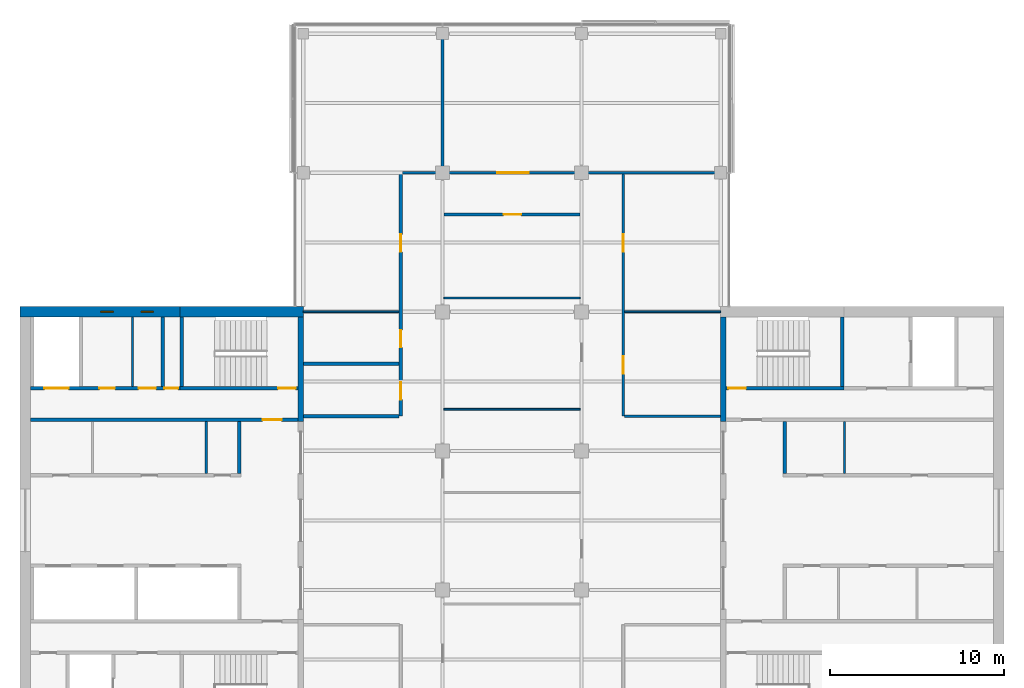
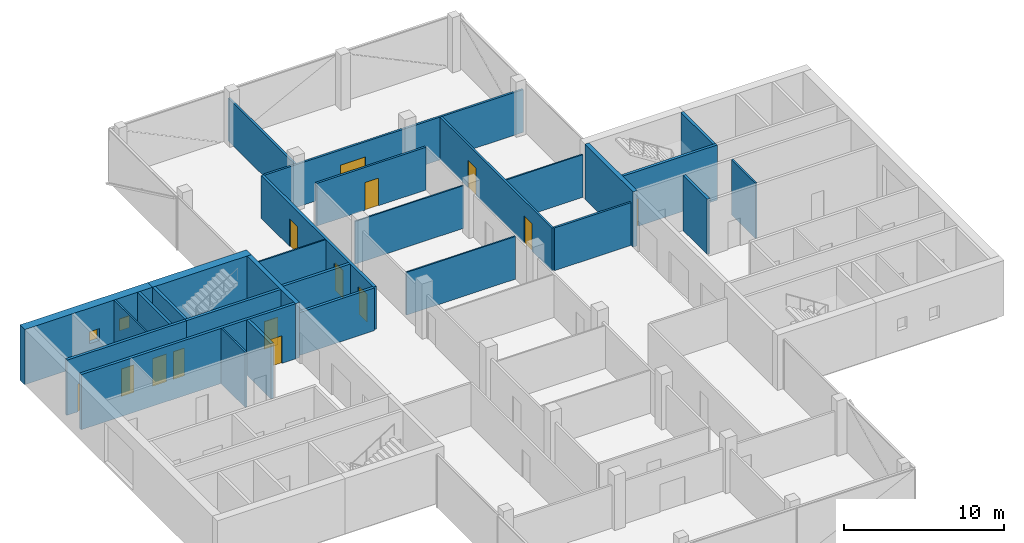
# One storey, part 11 of 15: 28 walls, 14 doors, 2 windows, 16 openings.
"""IFC4 building model written with IfcOpenShell, lengths in metres."""

from ifc_helpers import new_model, si_unit, direction, frame, frame_2d, origin, place, context, subcontext, project, spatial, rectangle, extrude, material, layer, layer_set, constituent, constituent_set, type_object, element, fill, save


model = new_model("IFC4")

# Units and contexts
model_context = context("Model", 3, precision=1e-05, world=origin(), true_north=direction((0.0, 1.0)))
body_context = subcontext(model_context, "Body", "Model", "MODEL_VIEW")
ifc_project = project(units=[si_unit("LENGTHUNIT", "METRE"), si_unit("AREAUNIT", "SQUARE_METRE"), si_unit("VOLUMEUNIT", "CUBIC_METRE"), si_unit("PLANEANGLEUNIT", "RADIAN"), si_unit("MASSUNIT", "GRAM", prefix="KILO")], contexts=[model_context])

# Site, building, storey
site_placement = place(None, origin())
site = spatial("IfcSite", under=ifc_project, at=site_placement, CompositionType="ELEMENT")
building_placement = place(site_placement, origin())
building = spatial("IfcBuilding", under=site, at=building_placement, Name="Crosswind Convention Tower", CompositionType="ELEMENT")
storey_placement = place(building_placement, frame((0.0, 0.0, 233.5)))
storey = spatial("IfcBuildingStorey", under=building, at=storey_placement, Name="L50", CompositionType="ELEMENT", Elevation=233.5)

# Wall
ifc_material_1 = material(Name="Concrete blockwork", Category="masonry")
ifc_layer_1 = layer(ifc_material_1, 0.199951171875)
ifc_layer_set_1 = layer_set([ifc_layer_1], Name="Blockwork partition wall 200")
wall_type_1 = type_object("IfcWallType", Name="Blockwork partition wall 200", PredefinedType="PARTITIONING", material=ifc_layer_set_1)
wall_1_placement = place(storey_placement, frame((104.89990234375, 111.699951171875, 0.0), z_axis=(0.0, 0.0, 1.0), x_axis=(0.0, -1.0, 0.0)))
element("IfcWall", 1, at=wall_1_placement, inside=storey, type_object=wall_type_1, Name="Wall MRSE W L50", PredefinedType="PARTITIONING", context=body_context, shape_type="SweptSolid", body=[
    extrude(rectangle(XDim=4.0, YDim=0.199951171875, at=frame_2d((2.0, 0.0))), origin(), (0.0, 0.0, 1.0), 4.199951171875),
])

# Wall, openings, doors
ifc_layer_2 = layer(ifc_material_1, 0.199951171875)
ifc_layer_set_2 = layer_set([ifc_layer_2], Name="COMPARTMENT WALL 200 BLOCKWORK")
wall_type_2 = type_object("IfcWallType", Name="COMPARTMENT WALL 200 BLOCKWORK", PredefinedType="SOLIDWALL", material=ifc_layer_set_2)
wall_2_placement = place(storey_placement, frame((118.60009765625, 106.0, 0.0), z_axis=(0.0, 0.0, 1.0), x_axis=(0.0, 1.0, 0.0)))
wall_2 = element("IfcWall", 2, at=wall_2_placement, inside=storey, type_object=wall_type_2, Name="Compartment wall WT42", PredefinedType="SOLIDWALL", context=body_context, shape_type="SweptSolid", body=[
    extrude(rectangle(XDim=14.0, YDim=0.199951171875, at=frame_2d((7.0, 0.0))), origin(), (0.0, 0.0, 1.0), 3.25537109375),
])
opening_1_placement = place(wall_2_placement, frame((0.949951171875, 0.0, 0.0)))
opening_1 = element("IfcOpeningElement", 3, at=opening_1_placement, cuts=wall_2, Name="Opening L50-53", PredefinedType="OPENING", context=body_context, shape_type="SweptSolid", body=[
    extrude(rectangle(XDim=1.0, YDim=2.10009765625, at=frame_2d((0.5, 1.050048828125))), frame((0.0, 0.10986328125, 0.0), z_axis=(0.0, -1.0, 0.0), x_axis=(1.0, 0.0, 0.0)), (0.0, 0.0, 1.0), 0.219970703125),
])
opening_2_placement = place(wall_2_placement, frame((3.949951171875, 0.0, 0.0)))
opening_2 = element("IfcOpeningElement", 4, at=opening_2_placement, cuts=wall_2, Name="Opening L50-54", PredefinedType="OPENING", context=body_context, shape_type="SweptSolid", body=[
    extrude(rectangle(XDim=1.0, YDim=2.10009765625, at=frame_2d((0.5, 1.050048828125))), frame((0.0, 0.10986328125, 0.0), z_axis=(0.0, -1.0, 0.0), x_axis=(1.0, 0.0, 0.0)), (0.0, 0.0, 1.0), 0.219970703125),
])
opening_3_placement = place(wall_2_placement, frame((9.449951171875, 0.0, 0.0)))
opening_3 = element("IfcOpeningElement", 5, at=opening_3_placement, cuts=wall_2, Name="Opening L50-55", PredefinedType="OPENING", context=body_context, shape_type="SweptSolid", body=[
    extrude(rectangle(XDim=1.0, YDim=2.10009765625, at=frame_2d((0.5, 1.050048828125))), frame((0.0, 0.10986328125, 0.0), z_axis=(0.0, -1.0, 0.0), x_axis=(1.0, 0.0, 0.0)), (0.0, 0.0, 1.0), 0.219970703125),
])
ifc_material_2 = material(Name="Steel fire door", Category="steel")
door_type_1 = type_object("IfcDoorType", Name="PLANT ROOM DOOR 1000X2100 FD60", OperationType="NOTDEFINED", PredefinedType="DOOR", material=ifc_material_2)
door_1_placement = place(opening_1_placement, origin())
door_1 = element("IfcDoor", 6, at=door_1_placement, inside=storey, type_object=door_type_1, Name="Door L50-53", ObjectType="D43", OperationType="SINGLE_SWING_LEFT", OverallHeight=2.10009765625, OverallWidth=1.0, PredefinedType="DOOR", context=body_context, shape_type="SweptSolid", body=[
    extrude(rectangle(XDim=1.0, YDim=2.10009765625, at=frame_2d((0.5, 1.050048828125))), frame((0.0, 0.02490234375, 0.0), z_axis=(0.0, -1.0, 0.0), x_axis=(1.0, 0.0, 0.0)), (0.0, 0.0, 1.0), 0.050048828125),
])
fill(opening_1, door_1)
ifc_material_3 = material(Name="Timber fire door", Category="wood")
door_type_2 = type_object("IfcDoorType", Name="TENANCY ENTRANCE DOOR 1000X2100 FD30S", OperationType="NOTDEFINED", PredefinedType="DOOR", material=ifc_material_3)
door_2_placement = place(opening_2_placement, origin())
door_2 = element("IfcDoor", 7, at=door_2_placement, inside=storey, type_object=door_type_2, Name="Door L50-54", ObjectType="D41", OperationType="SINGLE_SWING_LEFT", OverallHeight=2.10009765625, OverallWidth=1.0, PredefinedType="DOOR", context=body_context, shape_type="SweptSolid", body=[
    extrude(rectangle(XDim=1.0, YDim=2.10009765625, at=frame_2d((0.5, 1.050048828125))), frame((0.0, 0.02490234375, 0.0), z_axis=(0.0, -1.0, 0.0), x_axis=(1.0, 0.0, 0.0)), (0.0, 0.0, 1.0), 0.050048828125),
])
fill(opening_2, door_2)
door_3_placement = place(opening_3_placement, origin())
door_3 = element("IfcDoor", 8, at=door_3_placement, inside=storey, type_object=door_type_2, Name="Door L50-55", ObjectType="D41", OperationType="SINGLE_SWING_LEFT", OverallHeight=2.10009765625, OverallWidth=1.0, PredefinedType="DOOR", context=body_context, shape_type="SweptSolid", body=[
    extrude(rectangle(XDim=1.0, YDim=2.10009765625, at=frame_2d((0.5, 1.050048828125))), frame((0.0, 0.02490234375, 0.0), z_axis=(0.0, -1.0, 0.0), x_axis=(1.0, 0.0, 0.0)), (0.0, 0.0, 1.0), 0.050048828125),
])
fill(opening_3, door_3)

# Walls
for number, where, z_axis, x_axis, name in (
    (9, (113.0, 106.0, 0.0), (0.0, 0.0, 1.0), (1.0, 0.0, 0.0), "Compartment wall WT42"),
    (10, (113.0, 109.0, 0.0), (0.0, 0.0, 1.0), (1.0, 0.0, 0.0), "Compartment wall WT42"),
):
    element("IfcWall", number, at=place(storey_placement, frame(where, z_axis=z_axis, x_axis=x_axis)), inside=storey, type_object=wall_type_2, Name=name, PredefinedType="SOLIDWALL", context=body_context, shape_type="SweptSolid", body=[
        extrude(rectangle(XDim=5.5, YDim=0.199951171875, at=frame_2d((2.75, 0.0))), origin(), (0.0, 0.0, 1.0), 3.25537109375),
    ])
ifc_material_4 = material(Name="Concrete C50/60", Category="concrete")
ifc_layer_3 = layer(ifc_material_4, 0.300048828125)
ifc_layer_set_3 = layer_set([ifc_layer_3], Name="Concrete C50/60")
wall_type_3 = type_object("IfcWallType", Name="Concrete inner core wall 300", PredefinedType="SHEAR", material=ifc_layer_set_3)
for number, where, z_axis, x_axis, name in (
    (11, (137.14990234375, 105.699951171875, 0.0), (0.0, 0.0, 1.0), (0.0, 1.0, 0.0), "Wall EP E L50"),
    (12, (112.85009765625, 111.699951171875, 0.0), (0.0, 0.0, 1.0), (0.0, -1.0, 0.0), "Wall EM W L50"),
):
    element("IfcWall", number, at=place(storey_placement, frame(where, z_axis=z_axis, x_axis=x_axis)), inside=storey, type_object=wall_type_3, Name=name, PredefinedType="SHEAR", context=body_context, shape_type="SweptSolid", body=[
        extrude(rectangle(XDim=6.0, YDim=0.300048828125, at=frame_2d((3.0, 0.0))), origin(), (0.0, 0.0, 1.0), 4.199951171875),
    ])
ifc_layer_4 = layer(ifc_material_4, 0.199951171875)
ifc_layer_set_4 = layer_set([ifc_layer_4], Name="Concrete C50/60")
wall_type_4 = type_object("IfcWallType", Name="Concrete shaft and stair wall 200", PredefinedType="SHEAR", material=ifc_layer_set_4)
wall_3_placement = place(storey_placement, frame((140.699951171875, 102.699951171875, 0.0), z_axis=(0.0, 0.0, 1.0), x_axis=(0.0, 1.0, 0.0)))
element("IfcWall", 13, at=wall_3_placement, inside=storey, type_object=wall_type_4, Name="Wall RPEND E L50", PredefinedType="SHEAR", context=body_context, shape_type="SweptSolid", body=[
    extrude(rectangle(XDim=3.0, YDim=0.199951171875, at=frame_2d((1.5, 0.0))), origin(), (0.0, 0.0, 1.0), 4.199951171875),
])
wall_4_placement = place(storey_placement, frame((144.0, 107.699951171875, 0.0), z_axis=(0.0, 0.0, 1.0), x_axis=(0.0, 1.0, 0.0)))
element("IfcWall", 14, at=wall_4_placement, inside=storey, type_object=wall_type_4, Name="Wall PSE E L50", PredefinedType="SHEAR", context=body_context, shape_type="SweptSolid", body=[
    extrude(rectangle(XDim=4.0, YDim=0.199951171875, at=frame_2d((2.0, 0.0))), origin(), (0.0, 0.0, 1.0), 4.199951171875),
])

# Wall, opening, door
wall_5_placement = place(storey_placement, frame((137.300048828125, 107.60009765625, 0.0), z_axis=(0.0, 0.0, 1.0), x_axis=(1.0, 0.0, 0.0)))
wall_5 = element("IfcWall", 15, at=wall_5_placement, inside=storey, type_object=wall_type_4, Name="Wall PCW E L50", PredefinedType="SHEAR", context=body_context, shape_type="SweptSolid", body=[
    extrude(rectangle(XDim=6.800048828125, YDim=0.199951171875, at=frame_2d((3.39990234375, 0.0))), origin(), (0.0, 0.0, 1.0), 4.199951171875),
])
opening_4_placement = place(wall_5_placement, frame((0.14990234375, 0.0, 0.0)))
opening_4 = element("IfcOpeningElement", 16, at=opening_4_placement, cuts=wall_5, Name="Opening D103", PredefinedType="OPENING", context=body_context, shape_type="SweptSolid", body=[
    extrude(rectangle(XDim=1.0, YDim=2.10009765625, at=frame_2d((0.5, 1.050048828125))), frame((0.0, 0.10986328125, 0.0), z_axis=(0.0, -1.0, 0.0), x_axis=(1.0, 0.0, 0.0)), (0.0, 0.0, 1.0), 0.219970703125),
])
door_type_3 = type_object("IfcDoorType", Name="Fire-rated single door 1000x2100", OperationType="NOTDEFINED", PredefinedType="DOOR", material=ifc_material_2)
door_4_placement = place(opening_4_placement, origin())
door_4 = element("IfcDoor", 17, at=door_4_placement, inside=storey, type_object=door_type_3, Name="Stair ST1 door L50", ObjectType="D103", OperationType="SINGLE_SWING_LEFT", OverallHeight=2.10009765625, OverallWidth=1.0, PredefinedType="DOOR", context=body_context, shape_type="SweptSolid", body=[
    extrude(rectangle(XDim=1.0, YDim=2.10009765625, at=frame_2d((0.5, 1.050048828125))), frame((0.0, 0.02490234375, 0.0), z_axis=(0.0, -1.0, 0.0), x_axis=(1.0, 0.0, 0.0)), (0.0, 0.0, 1.0), 0.050048828125),
])
fill(opening_4, door_4)

# Wall
wall_6_placement = place(storey_placement, frame((109.300048828125, 105.699951171875, 0.0), z_axis=(0.0, 0.0, 1.0), x_axis=(0.0, -1.0, 0.0)))
element("IfcWall", 18, at=wall_6_placement, inside=storey, type_object=wall_type_4, Name="Wall RMEND W L50", PredefinedType="SHEAR", context=body_context, shape_type="SweptSolid", body=[
    extrude(rectangle(XDim=3.0, YDim=0.199951171875, at=frame_2d((1.5, 0.0))), origin(), (0.0, 0.0, 1.0), 4.199951171875),
])

# Wall, opening, door
wall_7_placement = place(storey_placement, frame((112.699951171875, 105.800048828125, 0.0), z_axis=(0.0, 0.0, 1.0), x_axis=(-1.0, 0.0, 0.0)))
wall_7 = element("IfcWall", 19, at=wall_7_placement, inside=storey, type_object=wall_type_4, Name="Wall HM W L50", PredefinedType="SHEAR", context=body_context, shape_type="SweptSolid", body=[
    extrude(rectangle(XDim=15.39990234375, YDim=0.199951171875, at=frame_2d((7.699951171875, 0.0))), origin(), (0.0, 0.0, 1.0), 4.199951171875),
])
opening_5_placement = place(wall_7_placement, frame((0.949951171875, 0.0, 0.0)))
opening_5 = element("IfcOpeningElement", 20, at=opening_5_placement, cuts=wall_7, Name="Opening D104", PredefinedType="OPENING", context=body_context, shape_type="SweptSolid", body=[
    extrude(rectangle(XDim=1.10009765625, YDim=2.10009765625, at=frame_2d((0.550048828125, 1.050048828125))), frame((0.0, 0.10986328125, 0.0), z_axis=(0.0, -1.0, 0.0), x_axis=(1.0, 0.0, 0.0)), (0.0, 0.0, 1.0), 0.219970703125),
])
door_type_4 = type_object("IfcDoorType", Name="Fire-rated single door 1100x2100", OperationType="NOTDEFINED", PredefinedType="DOOR", material=ifc_material_2)
door_5_placement = place(opening_5_placement, origin())
door_5 = element("IfcDoor", 21, at=door_5_placement, inside=storey, type_object=door_type_4, Name="Corridor door L50", ObjectType="D104", OperationType="SINGLE_SWING_LEFT", OverallHeight=2.10009765625, OverallWidth=1.10009765625, PredefinedType="DOOR", context=body_context, shape_type="SweptSolid", body=[
    extrude(rectangle(XDim=1.10009765625, YDim=2.10009765625, at=frame_2d((0.550048828125, 1.050048828125))), frame((0.0, 0.02490234375, 0.0), z_axis=(0.0, -1.0, 0.0), x_axis=(1.0, 0.0, 0.0)), (0.0, 0.0, 1.0), 0.050048828125),
])
fill(opening_5, door_5)

# Wall
wall_8_placement = place(storey_placement, frame((106.0, 111.699951171875, 0.0), z_axis=(0.0, 0.0, 1.0), x_axis=(0.0, -1.0, 0.0)))
element("IfcWall", 22, at=wall_8_placement, inside=storey, type_object=wall_type_4, Name="Wall MSE W L50", PredefinedType="SHEAR", context=body_context, shape_type="SweptSolid", body=[
    extrude(rectangle(XDim=4.0, YDim=0.199951171875, at=frame_2d((2.0, 0.0))), origin(), (0.0, 0.0, 1.0), 4.199951171875),
])

# Wall, opening, door
wall_9_placement = place(storey_placement, frame((112.699951171875, 107.60009765625, 0.0), z_axis=(0.0, 0.0, 1.0), x_axis=(-1.0, 0.0, 0.0)))
wall_9 = element("IfcWall", 23, at=wall_9_placement, inside=storey, type_object=wall_type_4, Name="Wall MCW W L50", PredefinedType="SHEAR", context=body_context, shape_type="SweptSolid", body=[
    extrude(rectangle(XDim=6.800048828125, YDim=0.199951171875, at=frame_2d((3.39990234375, 0.0))), origin(), (0.0, 0.0, 1.0), 4.199951171875),
])
opening_6_placement = place(wall_9_placement, frame((0.14990234375, 0.0, 0.0)))
opening_6 = element("IfcOpeningElement", 24, at=opening_6_placement, cuts=wall_9, Name="Opening D103", PredefinedType="OPENING", context=body_context, shape_type="SweptSolid", body=[
    extrude(rectangle(XDim=1.0, YDim=2.10009765625, at=frame_2d((0.5, 1.050048828125))), frame((0.0, 0.10986328125, 0.0), z_axis=(0.0, -1.0, 0.0), x_axis=(1.0, 0.0, 0.0)), (0.0, 0.0, 1.0), 0.219970703125),
])
door_6_placement = place(opening_6_placement, frame((1.0, 0.0, 0.0), z_axis=(0.0, 0.0, 1.0), x_axis=(-1.0, 0.0, 0.0)))
door_6 = element("IfcDoor", 25, at=door_6_placement, inside=storey, type_object=door_type_3, Name="Stair ST4 door L50", ObjectType="D103", OperationType="SINGLE_SWING_RIGHT", OverallHeight=2.10009765625, OverallWidth=1.0, PredefinedType="DOOR", context=body_context, shape_type="SweptSolid", body=[
    extrude(rectangle(XDim=1.0, YDim=2.10009765625, at=frame_2d((0.5, 1.050048828125))), frame((0.0, 0.02490234375, 0.0), z_axis=(0.0, -1.0, 0.0), x_axis=(1.0, 0.0, 0.0)), (0.0, 0.0, 1.0), 0.050048828125),
])
fill(opening_6, door_6)

# Wall, openings, doors
wall_10_placement = place(storey_placement, frame((105.89990234375, 107.60009765625, 0.0), z_axis=(0.0, 0.0, 1.0), x_axis=(-1.0, 0.0, 0.0)))
wall_10 = element("IfcWall", 26, at=wall_10_placement, inside=storey, type_object=wall_type_4, Name="Wall MCX W L50", PredefinedType="SHEAR", context=body_context, shape_type="SweptSolid", body=[
    extrude(rectangle(XDim=8.599853515625, YDim=0.199951171875, at=frame_2d((4.2998046875, 0.0))), origin(), (0.0, 0.0, 1.0), 4.199951171875),
])
opening_7_placement = place(wall_10_placement, frame((0.10009765625, 0.0, 0.0)))
opening_7 = element("IfcOpeningElement", 27, at=opening_7_placement, cuts=wall_10, Name="Opening D105", PredefinedType="OPENING", context=body_context, shape_type="SweptSolid", body=[
    extrude(rectangle(XDim=0.800048828125, YDim=2.10009765625, at=frame_2d((0.39990234375, 1.050048828125))), frame((0.0, 0.10986328125, 0.0), z_axis=(0.0, -1.0, 0.0), x_axis=(1.0, 0.0, 0.0)), (0.0, 0.0, 1.0), 0.219970703125),
])
opening_8_placement = place(wall_10_placement, frame((1.378662109375, 0.0, 0.0)))
opening_8 = element("IfcOpeningElement", 28, at=opening_8_placement, cuts=wall_10, Name="Opening D103", PredefinedType="OPENING", context=body_context, shape_type="SweptSolid", body=[
    extrude(rectangle(XDim=1.0, YDim=2.10009765625, at=frame_2d((0.5, 1.050048828125))), frame((0.0, 0.10986328125, 0.0), z_axis=(0.0, -1.0, 0.0), x_axis=(1.0, 0.0, 0.0)), (0.0, 0.0, 1.0), 0.219970703125),
])
opening_9_placement = place(wall_10_placement, frame((3.7412109375, 0.0, 0.0)))
opening_9 = element("IfcOpeningElement", 29, at=opening_9_placement, cuts=wall_10, Name="Opening D106", PredefinedType="OPENING", context=body_context, shape_type="SweptSolid", body=[
    extrude(rectangle(XDim=0.89990234375, YDim=2.10009765625, at=frame_2d((0.449951171875, 1.050048828125))), frame((0.0, 0.10986328125, 0.0), z_axis=(0.0, -1.0, 0.0), x_axis=(1.0, 0.0, 0.0)), (0.0, 0.0, 1.0), 0.219970703125),
])
opening_10_placement = place(wall_10_placement, frame((6.39990234375, 0.0, 0.0)))
opening_10 = element("IfcOpeningElement", 30, at=opening_10_placement, cuts=wall_10, Name="Opening LD2", PredefinedType="OPENING", context=body_context, shape_type="SweptSolid", body=[
    extrude(rectangle(XDim=1.39990234375, YDim=2.10009765625, at=frame_2d((0.699951171875, 1.050048828125))), frame((0.0, 0.10986328125, 0.0), z_axis=(0.0, -1.0, 0.0), x_axis=(1.0, 0.0, 0.0)), (0.0, 0.0, 1.0), 0.219970703125),
])
door_7_placement = place(opening_8_placement, frame((1.0, 0.0, 0.0), z_axis=(0.0, 0.0, 1.0), x_axis=(-1.0, 0.0, 0.0)))
door_7 = element("IfcDoor", 31, at=door_7_placement, inside=storey, type_object=door_type_3, Name="Door to accessible wc L50", ObjectType="D103", OperationType="SINGLE_SWING_LEFT", OverallHeight=2.10009765625, OverallWidth=1.0, PredefinedType="DOOR", context=body_context, shape_type="SweptSolid", body=[
    extrude(rectangle(XDim=1.0, YDim=2.10009765625, at=frame_2d((0.5, 1.050048828125))), frame((0.0, 0.02490234375, 0.0), z_axis=(0.0, -1.0, 0.0), x_axis=(1.0, 0.0, 0.0)), (0.0, 0.0, 1.0), 0.050048828125),
])
fill(opening_8, door_7)
ifc_material_5 = material(Name="Stainless steel", Category="steel")
door_type_5 = type_object("IfcDoorType", Name="Lift landing door 1400x2100", OperationType="DOUBLE_DOOR_SLIDING", PredefinedType="DOOR", material=ifc_material_5)
door_8_placement = place(opening_10_placement, origin())
door_8 = element("IfcDoor", 32, at=door_8_placement, inside=storey, type_object=door_type_5, Name="Landing door SV2 L50", ObjectType="LD2", OperationType="DOUBLE_DOOR_SLIDING", OverallHeight=2.10009765625, OverallWidth=1.39990234375, PredefinedType="DOOR", context=body_context, shape_type="SweptSolid", body=[
    extrude(rectangle(XDim=1.39990234375, YDim=2.10009765625, at=frame_2d((0.699951171875, 1.050048828125))), frame((0.0, 0.02490234375, 0.0), z_axis=(0.0, -1.0, 0.0), x_axis=(1.0, 0.0, 0.0)), (0.0, 0.0, 1.0), 0.050048828125),
])
fill(opening_10, door_8)
door_type_6 = type_object("IfcDoorType", Name="Riser access door 800x2100", OperationType="NOTDEFINED", PredefinedType="DOOR", material=ifc_material_2)
door_9_placement = place(opening_7_placement, frame((0.800048828125, 0.0, 0.0), z_axis=(0.0, 0.0, 1.0), x_axis=(-1.0, 0.0, 0.0)))
door_9 = element("IfcDoor", 33, at=door_9_placement, inside=storey, type_object=door_type_6, Name="Riser door L50", ObjectType="D105", OperationType="SINGLE_SWING_LEFT", OverallHeight=2.10009765625, OverallWidth=0.800048828125, PredefinedType="DOOR", context=body_context, shape_type="SweptSolid", body=[
    extrude(rectangle(XDim=0.800048828125, YDim=2.10009765625, at=frame_2d((0.39990234375, 1.050048828125))), frame((0.0, 0.02490234375, 0.0), z_axis=(0.0, -1.0, 0.0), x_axis=(1.0, 0.0, 0.0)), (0.0, 0.0, 1.0), 0.050048828125),
])
fill(opening_7, door_9)
ifc_material_6 = material(Name="Timber door", Category="wood")
door_type_7 = type_object("IfcDoorType", Name="Single leaf door 900x2100", OperationType="NOTDEFINED", PredefinedType="DOOR", material=ifc_material_6)
door_10_placement = place(opening_9_placement, frame((0.89990234375, 0.0, 0.0), z_axis=(0.0, 0.0, 1.0), x_axis=(-1.0, 0.0, 0.0)))
door_10 = element("IfcDoor", 34, at=door_10_placement, inside=storey, type_object=door_type_7, Name="Door to wc L50", ObjectType="D106", OperationType="SINGLE_SWING_LEFT", OverallHeight=2.10009765625, OverallWidth=0.89990234375, PredefinedType="DOOR", context=body_context, shape_type="SweptSolid", body=[
    extrude(rectangle(XDim=0.89990234375, YDim=2.10009765625, at=frame_2d((0.449951171875, 1.050048828125))), frame((0.0, 0.02490234375, 0.0), z_axis=(0.0, -1.0, 0.0), x_axis=(1.0, 0.0, 0.0)), (0.0, 0.0, 1.0), 0.050048828125),
])
fill(opening_9, door_10)

# Walls
ifc_material_7 = material(Name="Gypsum plasterboard partition", Category="gypsum")
ifc_layer_5 = layer(ifc_material_7, 0.125)
ifc_layer_set_5 = layer_set([ifc_layer_5], Name="Drywall partition wall 125")
wall_type_5 = type_object("IfcWallType", Name="Drywall partition wall 125", PredefinedType="PARTITIONING", material=ifc_layer_set_5)
for number, where, z_axis, x_axis, name in (
    (35, (144.132080078125, 102.699951171875, 0.0), (0.0, 0.0, 1.0), (0.0, 1.0, 0.0), "Wall RPP1 E L50"),
    (36, (107.4150390625, 105.699951171875, 0.0), (0.0, 0.0, 1.0), (0.0, -1.0, 0.0), "Wall RMP1 W L50"),
):
    element("IfcWall", number, at=place(storey_placement, frame(where, z_axis=z_axis, x_axis=x_axis)), inside=storey, type_object=wall_type_5, Name=name, PredefinedType="PARTITIONING", context=body_context, shape_type="SweptSolid", body=[
        extrude(rectangle(XDim=3.0, YDim=0.125, at=frame_2d((1.5, 0.0))), origin(), (0.0, 0.0, 1.0), 4.199951171875),
    ])
wall_11_placement = place(storey_placement, frame((103.179931640625, 111.699951171875, 0.0), z_axis=(0.0, 0.0, 1.0), x_axis=(0.0, -1.0, 0.0)))
element("IfcWall", 37, at=wall_11_placement, inside=storey, type_object=wall_type_5, Name="Wall MWP1 W L50", PredefinedType="PARTITIONING", context=body_context, shape_type="SweptSolid", body=[
    extrude(rectangle(XDim=4.0, YDim=0.125, at=frame_2d((2.0, 0.0))), origin(), (0.0, 0.0, 1.0), 4.199951171875),
])
ifc_material_8 = material(Name="Plasterboard partition", Category="gypsum")
ifc_layer_6 = layer(ifc_material_8, 0.10009765625)
ifc_layer_set_6 = layer_set([ifc_layer_6], Name="PARTITION 100 METAL STUD")
wall_type_6 = type_object("IfcWallType", Name="PARTITION 100 METAL STUD", PredefinedType="PARTITIONING", material=ifc_layer_set_6)
wall_12_placement = place(storey_placement, frame((121.074951171875, 106.39990234375, 0.0), z_axis=(0.0, 0.0, 1.0), x_axis=(1.0, 0.0, 0.0)))
element("IfcWall", 38, at=wall_12_placement, inside=storey, type_object=wall_type_6, Name="Partition wall WT40", PredefinedType="PARTITIONING", context=body_context, shape_type="SweptSolid", body=[
    extrude(rectangle(XDim=7.85009765625, YDim=0.10009765625, at=frame_2d((3.925048828125, 0.0))), origin(), (0.0, 0.0, 1.0), 3.25537109375),
])
wall_13_placement = place(storey_placement, frame((113.0, 112.0, 0.0), z_axis=(0.0, 0.0, 1.0), x_axis=(1.0, 0.0, 0.0)))
element("IfcWall", 39, at=wall_13_placement, inside=storey, type_object=wall_type_6, Name="Partition wall WT40", PredefinedType="PARTITIONING", context=body_context, shape_type="SweptSolid", body=[
    extrude(rectangle(XDim=5.5, YDim=0.10009765625, at=frame_2d((2.75, 0.0))), origin(), (0.0, 0.0, 1.0), 3.25537109375),
])
wall_14_placement = place(storey_placement, frame((131.47509765625, 112.0, 0.0), z_axis=(0.0, 0.0, 1.0), x_axis=(1.0, 0.0, 0.0)))
element("IfcWall", 40, at=wall_14_placement, inside=storey, type_object=wall_type_6, Name="Partition wall WT40", PredefinedType="PARTITIONING", context=body_context, shape_type="SweptSolid", body=[
    extrude(rectangle(XDim=5.52490234375, YDim=0.10009765625, at=frame_2d((2.762451171875, 0.0))), origin(), (0.0, 0.0, 1.0), 3.25537109375),
])
wall_15_placement = place(storey_placement, frame((121.074951171875, 112.800048828125, 0.0), z_axis=(0.0, 0.0, 1.0), x_axis=(1.0, 0.0, 0.0)))
element("IfcWall", 41, at=wall_15_placement, inside=storey, type_object=wall_type_6, Name="Partition wall WT40", PredefinedType="PARTITIONING", context=body_context, shape_type="SweptSolid", body=[
    extrude(rectangle(XDim=7.85009765625, YDim=0.10009765625, at=frame_2d((3.925048828125, 0.0))), origin(), (0.0, 0.0, 1.0), 3.25537109375),
])
ifc_material_9 = material(Name="Fire-board partition with mineral wool", Category="gypsum")
ifc_layer_7 = layer(ifc_material_9, 0.14990234375)
ifc_layer_set_7 = layer_set([ifc_layer_7], Name="TENANCY WALL 150 TWO-HOUR BOARD")
wall_type_7 = type_object("IfcWallType", Name="TENANCY WALL 150 TWO-HOUR BOARD", PredefinedType="PARTITIONING", material=ifc_layer_set_7)
wall_16_placement = place(storey_placement, frame((121.0, 120.074951171875, 0.0), z_axis=(0.0, 0.0, 1.0), x_axis=(0.0, 1.0, 0.0)))
element("IfcWall", 42, at=wall_16_placement, inside=storey, type_object=wall_type_7, Name="Tenancy wall WT41", PredefinedType="PARTITIONING", context=body_context, shape_type="SweptSolid", body=[
    extrude(rectangle(XDim=8.2451171875, YDim=0.14990234375, at=frame_2d((4.12255859375, 0.0))), origin(), (0.0, 0.0, 1.0), 3.25537109375),
])

# Wall, openings, doors
wall_17_placement = place(storey_placement, frame((131.39990234375, 106.0, 0.0), z_axis=(0.0, 0.0, 1.0), x_axis=(0.0, 1.0, 0.0)))
wall_17 = element("IfcWall", 43, at=wall_17_placement, inside=storey, type_object=wall_type_7, Name="Tenancy wall WT41", PredefinedType="PARTITIONING", context=body_context, shape_type="SweptSolid", body=[
    extrude(rectangle(XDim=13.925048828125, YDim=0.14990234375, at=frame_2d((6.96240234375, 0.0))), origin(), (0.0, 0.0, 1.0), 3.25537109375),
])
opening_11_placement = place(wall_17_placement, frame((2.449951171875, 0.0, 0.0)))
opening_11 = element("IfcOpeningElement", 44, at=opening_11_placement, cuts=wall_17, Name="Opening L50-50", PredefinedType="OPENING", context=body_context, shape_type="SweptSolid", body=[
    extrude(rectangle(XDim=1.0, YDim=2.10009765625, at=frame_2d((0.5, 1.050048828125))), frame((0.0, 0.0849609375, 0.0), z_axis=(0.0, -1.0, 0.0), x_axis=(1.0, 0.0, 0.0)), (0.0, 0.0, 1.0), 0.169921875),
])
opening_12_placement = place(wall_17_placement, frame((9.449951171875, 0.0, 0.0)))
opening_12 = element("IfcOpeningElement", 45, at=opening_12_placement, cuts=wall_17, Name="Opening L50-51", PredefinedType="OPENING", context=body_context, shape_type="SweptSolid", body=[
    extrude(rectangle(XDim=1.0, YDim=2.10009765625, at=frame_2d((0.5, 1.050048828125))), frame((0.0, 0.0849609375, 0.0), z_axis=(0.0, -1.0, 0.0), x_axis=(1.0, 0.0, 0.0)), (0.0, 0.0, 1.0), 0.169921875),
])
door_11_placement = place(opening_11_placement, frame((1.0, 0.0, 0.0), z_axis=(0.0, 0.0, 1.0), x_axis=(-1.0, 0.0, 0.0)))
door_11 = element("IfcDoor", 46, at=door_11_placement, inside=storey, type_object=door_type_2, Name="Door L50-50", ObjectType="D41", OperationType="SINGLE_SWING_RIGHT", OverallHeight=2.10009765625, OverallWidth=1.0, PredefinedType="DOOR", context=body_context, shape_type="SweptSolid", body=[
    extrude(rectangle(XDim=1.0, YDim=2.10009765625, at=frame_2d((0.5, 1.050048828125))), frame((0.0, 0.02490234375, 0.0), z_axis=(0.0, -1.0, 0.0), x_axis=(1.0, 0.0, 0.0)), (0.0, 0.0, 1.0), 0.050048828125),
])
fill(opening_11, door_11)
door_12_placement = place(opening_12_placement, frame((1.0, 0.0, 0.0), z_axis=(0.0, 0.0, 1.0), x_axis=(-1.0, 0.0, 0.0)))
door_12 = element("IfcDoor", 47, at=door_12_placement, inside=storey, type_object=door_type_2, Name="Door L50-51", ObjectType="D41", OperationType="SINGLE_SWING_RIGHT", OverallHeight=2.10009765625, OverallWidth=1.0, PredefinedType="DOOR", context=body_context, shape_type="SweptSolid", body=[
    extrude(rectangle(XDim=1.0, YDim=2.10009765625, at=frame_2d((0.5, 1.050048828125))), frame((0.0, 0.02490234375, 0.0), z_axis=(0.0, -1.0, 0.0), x_axis=(1.0, 0.0, 0.0)), (0.0, 0.0, 1.0), 0.050048828125),
])
fill(opening_12, door_12)

# Wall
wall_18_placement = place(storey_placement, frame((131.47509765625, 106.0, 0.0), z_axis=(0.0, 0.0, 1.0), x_axis=(1.0, 0.0, 0.0)))
element("IfcWall", 48, at=wall_18_placement, inside=storey, type_object=wall_type_7, Name="Tenancy wall WT41", PredefinedType="PARTITIONING", context=body_context, shape_type="SweptSolid", body=[
    extrude(rectangle(XDim=5.52490234375, YDim=0.14990234375, at=frame_2d((2.762451171875, 0.0))), origin(), (0.0, 0.0, 1.0), 3.25537109375),
])

# Wall, opening, door
wall_19_placement = place(storey_placement, frame((121.074951171875, 117.60009765625, 0.0), z_axis=(0.0, 0.0, 1.0), x_axis=(1.0, 0.0, 0.0)))
wall_19 = element("IfcWall", 49, at=wall_19_placement, inside=storey, type_object=wall_type_7, Name="Tenancy wall WT41", PredefinedType="PARTITIONING", context=body_context, shape_type="SweptSolid", body=[
    extrude(rectangle(XDim=7.85009765625, YDim=0.14990234375, at=frame_2d((3.925048828125, 0.0))), origin(), (0.0, 0.0, 1.0), 3.25537109375),
])
opening_13_placement = place(wall_19_placement, frame((3.449951171875, 0.0, 0.0)))
opening_13 = element("IfcOpeningElement", 50, at=opening_13_placement, cuts=wall_19, Name="Opening L50-65", PredefinedType="OPENING", context=body_context, shape_type="SweptSolid", body=[
    extrude(rectangle(XDim=1.0, YDim=2.10009765625, at=frame_2d((0.5, 1.050048828125))), frame((0.0, 0.0849609375, 0.0), z_axis=(0.0, -1.0, 0.0), x_axis=(1.0, 0.0, 0.0)), (0.0, 0.0, 1.0), 0.169921875),
])
door_13_placement = place(opening_13_placement, frame((1.0, 0.0, 0.0), z_axis=(0.0, 0.0, 1.0), x_axis=(-1.0, 0.0, 0.0)))
door_13 = element("IfcDoor", 51, at=door_13_placement, inside=storey, type_object=door_type_2, Name="Door L50-65", ObjectType="D41", OperationType="SINGLE_SWING_LEFT", OverallHeight=2.10009765625, OverallWidth=1.0, PredefinedType="DOOR", context=body_context, shape_type="SweptSolid", body=[
    extrude(rectangle(XDim=1.0, YDim=2.10009765625, at=frame_2d((0.5, 1.050048828125))), frame((0.0, 0.02490234375, 0.0), z_axis=(0.0, -1.0, 0.0), x_axis=(1.0, 0.0, 0.0)), (0.0, 0.0, 1.0), 0.050048828125),
])
fill(opening_13, door_13)

wall_20_placement = place(storey_placement, frame((118.699951171875, 120.0, 0.0), z_axis=(0.0, 0.0, 1.0), x_axis=(1.0, 0.0, 0.0)))
wall_20 = element("IfcWall", 52, at=wall_20_placement, inside=storey, type_object=wall_type_7, Name="Tenancy wall WT41", PredefinedType="PARTITIONING", context=body_context, shape_type="SweptSolid", body=[
    extrude(rectangle(XDim=18.6201171875, YDim=0.14990234375, at=frame_2d((9.31005859375, 0.0))), origin(), (0.0, 0.0, 1.0), 3.25537109375),
])
opening_14_placement = place(wall_20_placement, frame((5.449951171875, 0.0, 0.0)))
opening_14 = element("IfcOpeningElement", 53, at=opening_14_placement, cuts=wall_20, Name="Opening L50-57", PredefinedType="OPENING", context=body_context, shape_type="SweptSolid", body=[
    extrude(rectangle(XDim=1.800048828125, YDim=2.10009765625, at=frame_2d((0.89990234375, 1.050048828125))), frame((0.0, 0.0849609375, 0.0), z_axis=(0.0, -1.0, 0.0), x_axis=(1.0, 0.0, 0.0)), (0.0, 0.0, 1.0), 0.169921875),
])
door_type_8 = type_object("IfcDoorType", Name="TENANCY ENTRANCE DOUBLE DOOR 1800X2100 FD30S", OperationType="DOUBLE_DOOR_SINGLE_SWING", PredefinedType="DOOR", material=ifc_material_3)
door_14_placement = place(opening_14_placement, origin())
door_14 = element("IfcDoor", 54, at=door_14_placement, inside=storey, type_object=door_type_8, Name="Door L50-57", ObjectType="D42", OperationType="DOUBLE_DOOR_SINGLE_SWING", OverallHeight=2.10009765625, OverallWidth=1.800048828125, PredefinedType="DOOR", context=body_context, shape_type="SweptSolid", body=[
    extrude(rectangle(XDim=1.800048828125, YDim=2.10009765625, at=frame_2d((0.89990234375, 1.050048828125))), frame((0.0, 0.02490234375, 0.0), z_axis=(0.0, -1.0, 0.0), x_axis=(1.0, 0.0, 0.0)), (0.0, 0.0, 1.0), 0.050048828125),
])
fill(opening_14, door_14)

# Wall
ifc_material_10 = material(Name="Concrete C60/75", Category="concrete")
ifc_constituent_1 = constituent(ifc_material_10, Name="Structure")
ifc_material_11 = material(Name="Terracotta rainscreen", Category="ceramic")
ifc_constituent_2 = constituent(ifc_material_11, Name="Facing")
ifc_constituent_set = constituent_set(constituents=[ifc_constituent_1, ifc_constituent_2], Name="Concrete C60/75, Terracotta rainscreen")
wall_type_8 = type_object("IfcWallType", Name="Terracotta rainscreen on concrete core wall 600", PredefinedType="SHEAR", material=ifc_constituent_set)
wall_21_placement = place(storey_placement, frame((113.0, 112.0, 0.0), z_axis=(0.0, 0.0, 1.0), x_axis=(-1.0, 0.0, 0.0)))
element("IfcWall", 55, at=wall_21_placement, inside=storey, type_object=wall_type_8, Name="Wall S1 W L50", PredefinedType="SHEAR", context=body_context, shape_type="SweptSolid", body=[
    extrude(rectangle(XDim=7.10009765625, YDim=0.60009765625, at=frame_2d((3.550048828125, 0.0))), origin(), (0.0, 0.0, 1.0), 4.199951171875),
])

# Wall, openings, windows
wall_22_placement = place(storey_placement, frame((105.89990234375, 112.0, 0.0), z_axis=(0.0, 0.0, 1.0), x_axis=(-1.0, 0.0, 0.0)))
wall_22 = element("IfcWall", 56, at=wall_22_placement, inside=storey, type_object=wall_type_8, Name="Wall S2 W L50", PredefinedType="SHEAR", context=body_context, shape_type="SweptSolid", body=[
    extrude(rectangle(XDim=9.199951171875, YDim=0.60009765625, at=frame_2d((4.60009765625, 0.0))), origin(), (0.0, 0.0, 1.0), 4.199951171875),
])
opening_15_placement = place(wall_22_placement, frame((1.52880859375, 0.0, 1.5)))
opening_15 = element("IfcOpeningElement", 57, at=opening_15_placement, cuts=wall_22, Name="Opening W2", PredefinedType="OPENING", context=body_context, shape_type="SweptSolid", body=[
    extrude(rectangle(XDim=0.699951171875, YDim=0.89990234375, at=frame_2d((0.35009765625, 0.449951171875))), frame((0.0, 0.31005859375, 0.0), z_axis=(0.0, -1.0, 0.0), x_axis=(1.0, 0.0, 0.0)), (0.0, 0.0, 1.0), 0.6201171875),
])
opening_16_placement = place(wall_22_placement, frame((3.84130859375, 0.0, 1.5)))
opening_16 = element("IfcOpeningElement", 58, at=opening_16_placement, cuts=wall_22, Name="Opening W2", PredefinedType="OPENING", context=body_context, shape_type="SweptSolid", body=[
    extrude(rectangle(XDim=0.699951171875, YDim=0.89990234375, at=frame_2d((0.35009765625, 0.449951171875))), frame((0.0, 0.31005859375, 0.0), z_axis=(0.0, -1.0, 0.0), x_axis=(1.0, 0.0, 0.0)), (0.0, 0.0, 1.0), 0.6201171875),
])
ifc_material_12 = material(Name="Obscure glass in aluminium frame", Category="aluminium")
window_type = type_object("IfcWindowType", Name="WC window 700x900", PartitioningType="SINGLE_PANEL", PredefinedType="WINDOW", material=ifc_material_12)
window_1_placement = place(opening_15_placement, origin())
window_1 = element("IfcWindow", 59, at=window_1_placement, inside=storey, type_object=window_type, Name="WC window L50", ObjectType="W2", OverallHeight=0.89990234375, OverallWidth=0.699951171875, PartitioningType="SINGLE_PANEL", PredefinedType="WINDOW", context=body_context, shape_type="SweptSolid", body=[
    extrude(rectangle(XDim=0.699951171875, YDim=0.89990234375, at=frame_2d((0.35009765625, 0.449951171875))), frame((0.0, 0.030029296875, 0.0), z_axis=(0.0, -1.0, 0.0), x_axis=(1.0, 0.0, 0.0)), (0.0, 0.0, 1.0), 0.06005859375),
])
fill(opening_15, window_1)
window_2_placement = place(opening_16_placement, origin())
window_2 = element("IfcWindow", 60, at=window_2_placement, inside=storey, type_object=window_type, Name="WC window L50", ObjectType="W2", OverallHeight=0.89990234375, OverallWidth=0.699951171875, PartitioningType="SINGLE_PANEL", PredefinedType="WINDOW", context=body_context, shape_type="SweptSolid", body=[
    extrude(rectangle(XDim=0.699951171875, YDim=0.89990234375, at=frame_2d((0.35009765625, 0.449951171875))), frame((0.0, 0.030029296875, 0.0), z_axis=(0.0, -1.0, 0.0), x_axis=(1.0, 0.0, 0.0)), (0.0, 0.0, 1.0), 0.06005859375),
])
fill(opening_16, window_2)

save(model, "model.ifc")
